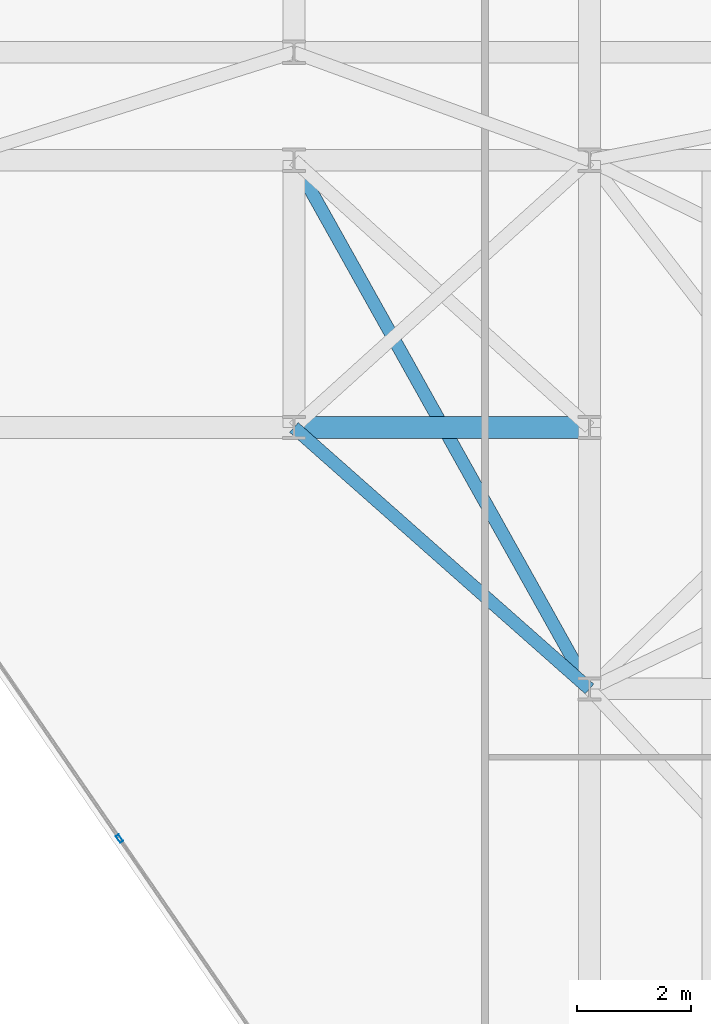
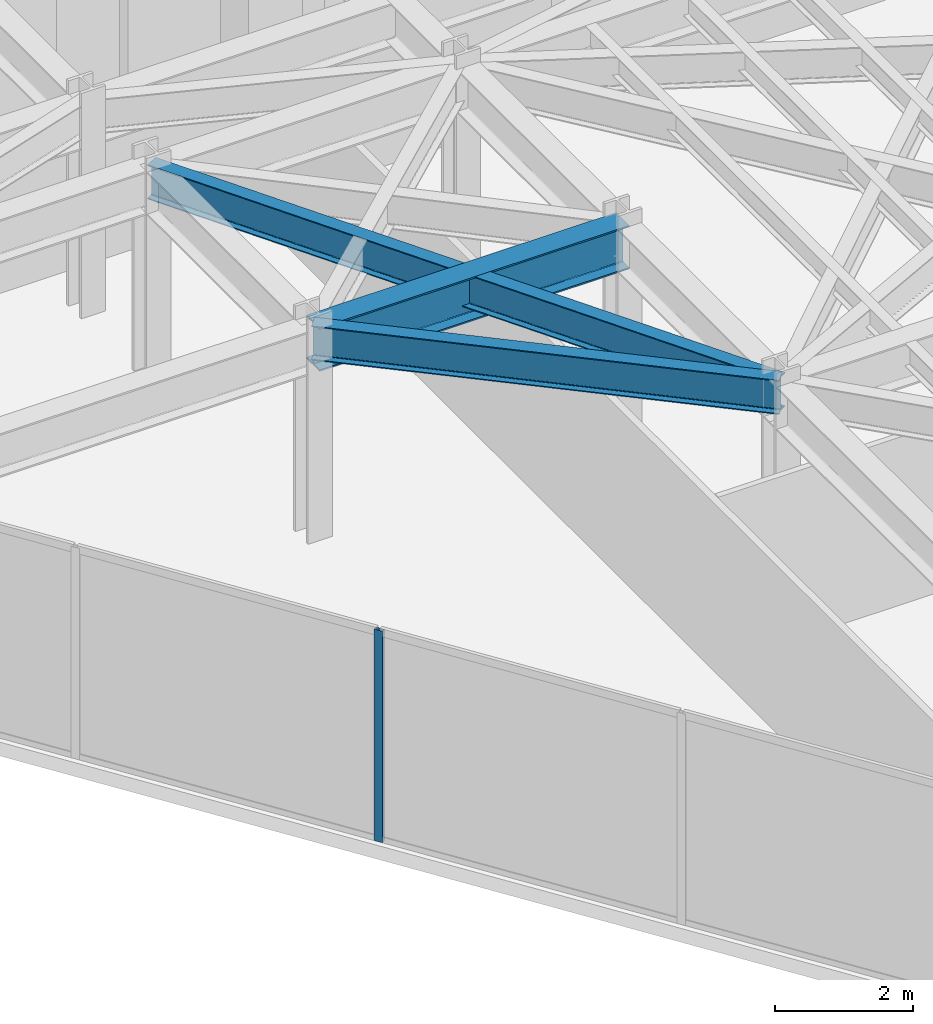
# One storey, part 18 of 27: 3 beams, 1 member, 1 element without a shape of its own.
"""IFC4 building model written with IfcOpenShell, lengths in metres."""

from ifc_helpers import new_model, si_unit, direction, frame, origin, origin_2d, place, context, subcontext, project, spatial, hollow_rectangle, i_section, extrude, material, layer, layer_set, material_profile, profile_set, type_object, element, aggregate, save


model = new_model("IFC4")

# Units and contexts
model_context = context("Model", 3, precision=1e-05, world=origin(), true_north=direction((0.0, 1.0)))
body_context = subcontext(model_context, "Body", "Model", "MODEL_VIEW")
ifc_project = project(units=[si_unit("LENGTHUNIT", "METRE"), si_unit("AREAUNIT", "SQUARE_METRE"), si_unit("VOLUMEUNIT", "CUBIC_METRE"), si_unit("PLANEANGLEUNIT", "RADIAN"), si_unit("MASSUNIT", "GRAM", prefix="KILO")], contexts=[model_context])

# Site, building, storey
site_placement = place(None, origin())
site = spatial("IfcSite", under=ifc_project, at=site_placement, CompositionType="ELEMENT")
building_placement = place(site_placement, origin())
building = spatial("IfcBuilding", under=site, at=building_placement, Name="Kravanh Interchange Tower", CompositionType="ELEMENT")
storey_placement = place(building_placement, frame((0.0, 0.0, 164.5)))
storey = spatial("IfcBuildingStorey", under=building, at=storey_placement, Name="L39", CompositionType="ELEMENT", Elevation=164.5)

# Curtain wall, member
ifc_material_1 = material(Name="Anodised Bronze Aluminium", Category="aluminium")
ifc_layer = layer(ifc_material_1, 0.179931640625)
ifc_layer_set = layer_set([ifc_layer], Name="Unitised Curtain Wall System CW-Z3 Upper Office")
curtain_wall_type = type_object("IfcCurtainWallType", Name="Unitised Curtain Wall System CW-Z3 Upper Office", PredefinedType="NOTDEFINED", material=ifc_layer_set)
curtain_wall_placement = place(storey_placement, origin())
curtain_wall = element("IfcCurtainWall", 1, at=curtain_wall_placement, inside=storey, type_object=curtain_wall_type, Name="L39 Unitised Curtain Wall CW-L39-04", PredefinedType="NOTDEFINED")
ifc_material_2 = material(Name="Anodised Bronze Aluminium", Category="aluminium")
ifc_material_profile_1 = material_profile(ifc_material_2, hollow_rectangle(XDim=0.06005859375, YDim=0.139892578125, WallThickness=0.00390625, at=origin_2d()), Name="ALU60X140X4")
ifc_profile_set_1 = profile_set([ifc_material_profile_1], Name="Anodised Bronze Aluminium")
member_type = type_object("IfcMemberType", Name="Curtain Wall Mullion ALU60X140X4 Bronze", PredefinedType="MULLION", material=ifc_profile_set_1)
member_placement = place(storey_placement, frame((47.7314453125, 19.56591796875, 0.0), z_axis=(0.0, 0.0, 1.0), x_axis=(-0.824042223035, -0.566528388217, 0.0)))
member = element("IfcMember", 2, at=member_placement, type_object=member_type, Name="CW-Z3 mullion 3", PredefinedType="MULLION", context=body_context, shape_type="SweptSolid", body=[
    extrude(hollow_rectangle(XDim=0.06005859375, YDim=0.139892578125, WallThickness=0.00390625, at=origin_2d()), origin(), (0.0, 0.0, 1.0), 3.7548828125),
])
aggregate(curtain_wall, [member])

# Beams
ifc_material_3 = material(Name="Structural Steel S355", Category="steel")
ifc_material_profile_2 = material_profile(ifc_material_3, i_section(OverallWidth=0.381103515625, OverallDepth=0.77294921875, WebThickness=0.0166015625, FlangeThickness=0.027099609375, FilletRadius=0.02490234375, at=origin_2d()), Name="W30X173")
ifc_profile_set_2 = profile_set([ifc_material_profile_2], Name="Structural Steel S355")
beam_type_1 = type_object("IfcBeamType", Name="Floor Beam W30X173 Structural Steel S355", PredefinedType="BEAM", material=ifc_profile_set_2)
beam_1_placement = place(storey_placement, frame((50.800048828125, 26.800048828125, 3.368408203125), z_axis=(1.0, 0.0, 0.0), x_axis=(0.0, 1.0, 0.0)))
element("IfcBeam", 3, at=beam_1_placement, inside=storey, type_object=beam_type_1, Name="L39 Primary Floor Girder 50", PredefinedType="BEAM", context=body_context, shape_type="SweptSolid", body=[
    extrude(i_section(OverallWidth=0.381103515625, OverallDepth=0.77294921875, WebThickness=0.0166015625, FlangeThickness=0.027099609375, FilletRadius=0.02490234375, at=origin_2d()), origin(), (0.0, 0.0, 1.0), 5.199951171875),
])
ifc_material_4 = material(Name="Structural Steel S355", Category="steel")
ifc_material_profile_3 = material_profile(ifc_material_4, i_section(OverallWidth=0.22802734375, OverallDepth=0.60791015625, WebThickness=0.01123046875, FlangeThickness=0.017333984375, FilletRadius=0.02197265625, at=origin_2d()), Name="W24X76")
ifc_profile_set_3 = profile_set([ifc_material_profile_3], Name="Structural Steel S355")
beam_type_2 = type_object("IfcBeamType", Name="Floor Spandrel W24X76 Structural Steel S355", PredefinedType="SPANDREL", material=ifc_profile_set_3)
beam_2_placement = place(storey_placement, frame((50.800048828125, 26.800048828125, 3.450927734375), z_axis=(0.74898649432, -0.662585263439, 0.0), x_axis=(0.662585263439, 0.74898649432, 0.0)))
element("IfcBeam", 4, at=beam_2_placement, inside=storey, type_object=beam_type_2, Name="L39 Perimeter Spandrel 51", PredefinedType="SPANDREL", context=body_context, shape_type="SweptSolid", body=[
    extrude(i_section(OverallWidth=0.22802734375, OverallDepth=0.60791015625, WebThickness=0.01123046875, FlangeThickness=0.017333984375, FilletRadius=0.02197265625, at=origin_2d()), origin(), (0.0, 0.0, 1.0), 6.942626953125),
])
beam_3_placement = place(storey_placement, frame((50.800048828125, 31.5, 3.450927734375), z_axis=(0.488026248114, -0.872828952975, 0.0), x_axis=(0.872828952975, 0.488026248114, 0.0)))
element("IfcBeam", 5, at=beam_3_placement, inside=storey, type_object=beam_type_2, Name="L39 Perimeter Spandrel 78", PredefinedType="SPANDREL", context=body_context, shape_type="SweptSolid", body=[
    extrude(i_section(OverallWidth=0.22802734375, OverallDepth=0.60791015625, WebThickness=0.01123046875, FlangeThickness=0.017333984375, FilletRadius=0.02197265625, at=origin_2d()), origin(), (0.0, 0.0, 1.0), 10.655029296875),
])

save(model, "model.ifc")
